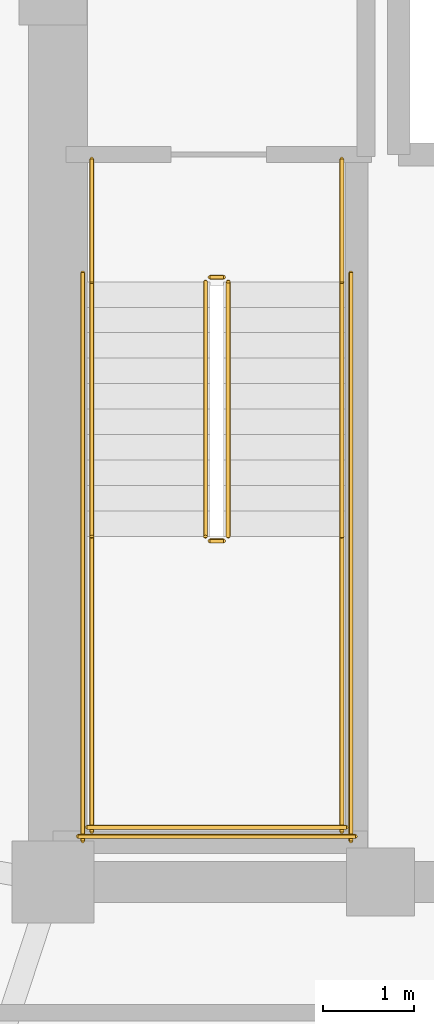
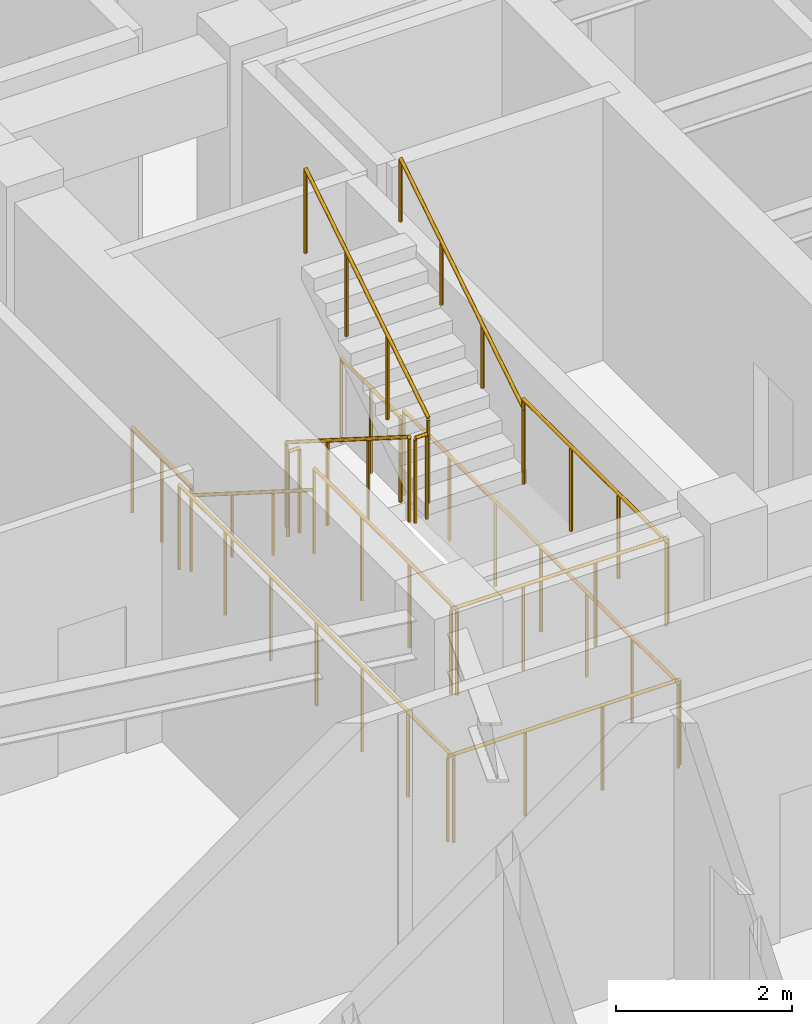
# One storey, part 10 of 11: 14 railings.
"""IFC4 building model written with IfcOpenShell, lengths in metres."""

from ifc_helpers import new_model, si_unit, direction, frame, origin, origin_2d, place, context, subcontext, project, spatial, circle, extrude, material, type_object, element, save


model = new_model("IFC4")

# Units and contexts
model_context = context("Model", 3, precision=1e-05, world=origin(), true_north=direction((0.0, 1.0)))
body_context = subcontext(model_context, "Body", "Model", "MODEL_VIEW")
ifc_project = project(units=[si_unit("LENGTHUNIT", "METRE"), si_unit("AREAUNIT", "SQUARE_METRE"), si_unit("VOLUMEUNIT", "CUBIC_METRE"), si_unit("PLANEANGLEUNIT", "RADIAN"), si_unit("MASSUNIT", "GRAM", prefix="KILO")], contexts=[model_context])

# Site, building, storey
site_placement = place(None, origin())
site = spatial("IfcSite", under=ifc_project, at=site_placement, CompositionType="ELEMENT")
building_placement = place(site_placement, origin())
building = spatial("IfcBuilding", under=site, at=building_placement, Name="Voryun Gate Residences", CompositionType="ELEMENT")
storey_placement = place(building_placement, frame((0.0, 0.0, 239.199951171875)))
storey = spatial("IfcBuildingStorey", under=building, at=storey_placement, Name="L59", CompositionType="ELEMENT", Elevation=239.199951171875)

# Railings
ifc_material_1 = material(Name="Painted steel", Category="steel")
railing_type_1 = type_object("IfcRailingType", Name="RAIL_STAIR_GUARD_1200", PredefinedType="GUARDRAIL", material=ifc_material_1)
railing_1_placement = place(storey_placement, frame((-17.52490234375, -0.800048828125, 0.17724609375)))
element("IfcRailing", 1, at=railing_1_placement, inside=storey, type_object=railing_type_1, Name="L59 ST-W1 stair guard 1", PredefinedType="GUARDRAIL", context=body_context, shape_type="SweptSolid", body=[
    extrude(circle(Radius=0.02392578125, at=origin_2d()), frame((0.0, 0.0, 1.17578125), z_axis=(0.0, -0.844908973607, 0.534910110503), x_axis=(1.0, 0.0, 0.0)), (0.0, 0.0, 1.0), 3.31396484375),
    extrude(circle(Radius=0.02099609375, at=origin_2d()), origin(), (0.0, 0.0, 1.0), 1.15185546875),
    extrude(circle(Radius=0.02099609375, at=origin_2d()), frame((0.0, -0.933349609375, 0.5908203125)), (0.0, 0.0, 1.0), 1.15185546875),
    extrude(circle(Radius=0.02099609375, at=origin_2d()), frame((0.0, -1.86669921875, 1.181884765625)), (0.0, 0.0, 1.0), 1.15185546875),
    extrude(circle(Radius=0.02099609375, at=origin_2d()), frame((0.0, -2.800048828125, 1.772705078125)), (0.0, 0.0, 1.0), 1.15185546875),
])
railing_2_placement = place(storey_placement, frame((-17.47509765625, -3.64990234375, 1.949951171875)))
element("IfcRailing", 2, at=railing_2_placement, inside=storey, type_object=railing_type_1, Name="L59 ST-W1 stair guard 2", PredefinedType="GUARDRAIL", context=body_context, shape_type="SweptSolid", body=[
    extrude(circle(Radius=0.02392578125, at=origin_2d()), frame((0.0, 0.0, 1.17578125), z_axis=(1.0, 0.0, 0.0), x_axis=(0.0, 1.0, 0.0)), (0.0, 0.0, 1.0), 0.150146484375),
    extrude(circle(Radius=0.02099609375, at=origin_2d()), origin(), (0.0, 0.0, 1.0), 1.15185546875),
    extrude(circle(Radius=0.02099609375, at=origin_2d()), frame((0.150146484375, 0.0, 0.0)), (0.0, 0.0, 1.0), 1.15185546875),
])
for number, where, name in (
    (3, (-18.77490234375, -3.60009765625, 1.949951171875), "L59 ST-W1 stair guard 3"),
    (4, (-16.02490234375, -3.60009765625, 1.949951171875), "L59 ST-W1 stair guard 4"),
):
    element("IfcRailing", number, at=place(storey_placement, frame(where)), inside=storey, type_object=railing_type_1, Name=name, PredefinedType="GUARDRAIL", context=body_context, shape_type="SweptSolid", body=[
        extrude(circle(Radius=0.02392578125, at=origin_2d()), frame((0.0, 0.0, 1.17578125), z_axis=(0.0, -1.0, 0.0), x_axis=(1.0, 0.0, 0.0)), (0.0, 0.0, 1.0), 3.25),
        extrude(circle(Radius=0.02099609375, at=origin_2d()), origin(), (0.0, 0.0, 1.0), 1.15185546875),
        extrude(circle(Radius=0.02099609375, at=origin_2d()), frame((0.0, -1.083251953125, 0.0)), (0.0, 0.0, 1.0), 1.15185546875),
        extrude(circle(Radius=0.02099609375, at=origin_2d()), frame((0.0, -2.166748046875, 0.0)), (0.0, 0.0, 1.0), 1.15185546875),
        extrude(circle(Radius=0.02099609375, at=origin_2d()), frame((0.0, -3.25, 0.0)), (0.0, 0.0, 1.0), 1.15185546875),
    ])
railing_3_placement = place(storey_placement, frame((-18.824951171875, -6.800048828125, 1.949951171875)))
element("IfcRailing", 5, at=railing_3_placement, inside=storey, type_object=railing_type_1, Name="L59 ST-W1 stair guard 5", PredefinedType="GUARDRAIL", context=body_context, shape_type="SweptSolid", body=[
    extrude(circle(Radius=0.02392578125, at=origin_2d()), frame((0.0, 0.0, 1.17578125), z_axis=(1.0, 0.0, 0.0), x_axis=(0.0, 1.0, 0.0)), (0.0, 0.0, 1.0), 2.849853515625),
    extrude(circle(Radius=0.02099609375, at=origin_2d()), origin(), (0.0, 0.0, 1.0), 1.15185546875),
    extrude(circle(Radius=0.02099609375, at=origin_2d()), frame((0.949951171875, 0.0, 0.0)), (0.0, 0.0, 1.0), 1.15185546875),
    extrude(circle(Radius=0.02099609375, at=origin_2d()), frame((1.89990234375, 0.0, 0.0)), (0.0, 0.0, 1.0), 1.15185546875),
    extrude(circle(Radius=0.02099609375, at=origin_2d()), frame((2.849853515625, 0.0, 0.0)), (0.0, 0.0, 1.0), 1.15185546875),
])
railing_4_placement = place(storey_placement, frame((-17.27490234375, -3.60009765625, 2.12744140625)))
element("IfcRailing", 6, at=railing_4_placement, inside=storey, type_object=railing_type_1, Name="L59 ST-W1 stair guard 6", PredefinedType="GUARDRAIL", context=body_context, shape_type="SweptSolid", body=[
    extrude(circle(Radius=0.02392578125, at=origin_2d()), frame((0.0, 0.0, 1.17578125), z_axis=(0.0, 0.844908973607, 0.534910110503), x_axis=(-1.0, 0.0, 0.0)), (0.0, 0.0, 1.0), 3.31396484375),
    extrude(circle(Radius=0.02099609375, at=origin_2d()), origin(), (0.0, 0.0, 1.0), 1.15185546875),
    extrude(circle(Radius=0.02099609375, at=origin_2d()), frame((0.0, 0.933349609375, 0.5908203125)), (0.0, 0.0, 1.0), 1.15185546875),
    extrude(circle(Radius=0.02099609375, at=origin_2d()), frame((0.0, 1.86669921875, 1.181884765625)), (0.0, 0.0, 1.0), 1.15185546875),
    extrude(circle(Radius=0.02099609375, at=origin_2d()), frame((0.0, 2.800048828125, 1.772705078125)), (0.0, 0.0, 1.0), 1.15185546875),
])
railing_5_placement = place(storey_placement, frame((-17.47509765625, -0.75, 0.0)))
element("IfcRailing", 7, at=railing_5_placement, inside=storey, type_object=railing_type_1, Name="L59 ST-W1 stair guard 7", PredefinedType="GUARDRAIL", context=body_context, shape_type="SweptSolid", body=[
    extrude(circle(Radius=0.02392578125, at=origin_2d()), frame((0.0, 0.0, 1.17578125), z_axis=(1.0, 0.0, 0.0), x_axis=(0.0, 1.0, 0.0)), (0.0, 0.0, 1.0), 0.150146484375),
    extrude(circle(Radius=0.02099609375, at=origin_2d()), origin(), (0.0, 0.0, 1.0), 1.15185546875),
    extrude(circle(Radius=0.02099609375, at=origin_2d()), frame((0.150146484375, 0.0, 0.0)), (0.0, 0.0, 1.0), 1.15185546875),
])
for number, where, name in (
    (8, (-18.77490234375, 0.550048828125, 0.0), "L59 ST-W1 stair guard 8"),
    (9, (-16.02490234375, 0.550048828125, 0.0), "L59 ST-W1 stair guard 9"),
):
    element("IfcRailing", number, at=place(storey_placement, frame(where)), inside=storey, type_object=railing_type_1, Name=name, PredefinedType="GUARDRAIL", context=body_context, shape_type="SweptSolid", body=[
        extrude(circle(Radius=0.02392578125, at=origin_2d()), frame((0.0, 0.0, 1.17578125), z_axis=(0.0, -1.0, 0.0), x_axis=(1.0, 0.0, 0.0)), (0.0, 0.0, 1.0), 1.35009765625),
        extrude(circle(Radius=0.02099609375, at=origin_2d()), origin(), (0.0, 0.0, 1.0), 1.15185546875),
        extrude(circle(Radius=0.02099609375, at=origin_2d()), frame((0.0, -0.675048828125, 0.0)), (0.0, 0.0, 1.0), 1.15185546875),
        extrude(circle(Radius=0.02099609375, at=origin_2d()), frame((0.0, -1.35009765625, 0.0)), (0.0, 0.0, 1.0), 1.15185546875),
    ])
for number, where, name in (
    (10, (-18.875, -0.699951171875, 0.0), "L59 ST-W1 stair guard 10"),
    (11, (-15.925048828125, -0.699951171875, 0.0), "L59 ST-W1 stair guard 11"),
):
    element("IfcRailing", number, at=place(storey_placement, frame(where)), inside=storey, type_object=railing_type_1, Name=name, PredefinedType="GUARDRAIL", context=body_context, shape_type="SweptSolid", body=[
        extrude(circle(Radius=0.02392578125, at=origin_2d()), frame((0.0, 0.0, 1.17578125), z_axis=(0.0, -1.0, 0.0), x_axis=(1.0, 0.0, 0.0)), (0.0, 0.0, 1.0), 6.25),
        extrude(circle(Radius=0.02099609375, at=origin_2d()), origin(), (0.0, 0.0, 1.0), 1.15185546875),
        extrude(circle(Radius=0.02099609375, at=origin_2d()), frame((0.0, -1.041748046875, 0.0)), (0.0, 0.0, 1.0), 1.15185546875),
        extrude(circle(Radius=0.02099609375, at=origin_2d()), frame((0.0, -2.083251953125, 0.0)), (0.0, 0.0, 1.0), 1.15185546875),
        extrude(circle(Radius=0.02099609375, at=origin_2d()), frame((0.0, -3.125, 0.0)), (0.0, 0.0, 1.0), 1.15185546875),
        extrude(circle(Radius=0.02099609375, at=origin_2d()), frame((0.0, -4.166748046875, 0.0)), (0.0, 0.0, 1.0), 1.15185546875),
        extrude(circle(Radius=0.02099609375, at=origin_2d()), frame((0.0, -5.208251953125, 0.0)), (0.0, 0.0, 1.0), 1.15185546875),
        extrude(circle(Radius=0.02099609375, at=origin_2d()), frame((0.0, -6.25, 0.0)), (0.0, 0.0, 1.0), 1.15185546875),
    ])
railing_6_placement = place(storey_placement, frame((-18.925048828125, -6.89990234375, 0.0)))
element("IfcRailing", 12, at=railing_6_placement, inside=storey, type_object=railing_type_1, Name="L59 ST-W1 stair guard 12", PredefinedType="GUARDRAIL", context=body_context, shape_type="SweptSolid", body=[
    extrude(circle(Radius=0.02392578125, at=origin_2d()), frame((0.0, 0.0, 1.17578125), z_axis=(1.0, 0.0, 0.0), x_axis=(0.0, 1.0, 0.0)), (0.0, 0.0, 1.0), 3.050048828125),
    extrude(circle(Radius=0.02099609375, at=origin_2d()), origin(), (0.0, 0.0, 1.0), 1.15185546875),
    extrude(circle(Radius=0.02099609375, at=origin_2d()), frame((1.0166015625, 0.0, 0.0)), (0.0, 0.0, 1.0), 1.15185546875),
    extrude(circle(Radius=0.02099609375, at=origin_2d()), frame((2.033447265625, 0.0, 0.0)), (0.0, 0.0, 1.0), 1.15185546875),
    extrude(circle(Radius=0.02099609375, at=origin_2d()), frame((3.050048828125, 0.0, 0.0)), (0.0, 0.0, 1.0), 1.15185546875),
])
ifc_material_2 = material(Name="Painted steel", Category="steel")
railing_type_2 = type_object("IfcRailingType", Name="RAIL_STAIR_HANDRAIL_900", PredefinedType="HANDRAIL", material=ifc_material_2)
railing_7_placement = place(storey_placement, frame((-18.77490234375, -0.800048828125, 0.17724609375)))
element("IfcRailing", 13, at=railing_7_placement, inside=storey, type_object=railing_type_2, Name="L59 ST-W1 stair handrail 1", PredefinedType="HANDRAIL", context=body_context, shape_type="SweptSolid", body=[
    extrude(circle(Radius=0.02392578125, at=origin_2d()), frame((0.0, 0.0, 0.8759765625), z_axis=(0.0, -0.844908973607, 0.534910110503), x_axis=(1.0, 0.0, 0.0)), (0.0, 0.0, 1.0), 3.31396484375),
    extrude(circle(Radius=0.02099609375, at=origin_2d()), origin(), (0.0, 0.0, 1.0), 0.851806640625),
    extrude(circle(Radius=0.02099609375, at=origin_2d()), frame((0.0, -0.933349609375, 0.5908203125)), (0.0, 0.0, 1.0), 0.851806640625),
    extrude(circle(Radius=0.02099609375, at=origin_2d()), frame((0.0, -1.86669921875, 1.181884765625)), (0.0, 0.0, 1.0), 0.851806640625),
    extrude(circle(Radius=0.02099609375, at=origin_2d()), frame((0.0, -2.800048828125, 1.772705078125)), (0.0, 0.0, 1.0), 0.851806640625),
])
railing_8_placement = place(storey_placement, frame((-16.02490234375, -3.60009765625, 2.12744140625)))
element("IfcRailing", 14, at=railing_8_placement, inside=storey, type_object=railing_type_2, Name="L59 ST-W1 stair handrail 2", PredefinedType="HANDRAIL", context=body_context, shape_type="SweptSolid", body=[
    extrude(circle(Radius=0.02392578125, at=origin_2d()), frame((0.0, 0.0, 0.8759765625), z_axis=(0.0, 0.844908973607, 0.534910110503), x_axis=(-1.0, 0.0, 0.0)), (0.0, 0.0, 1.0), 3.31396484375),
    extrude(circle(Radius=0.02099609375, at=origin_2d()), origin(), (0.0, 0.0, 1.0), 0.851806640625),
    extrude(circle(Radius=0.02099609375, at=origin_2d()), frame((0.0, 0.933349609375, 0.5908203125)), (0.0, 0.0, 1.0), 0.851806640625),
    extrude(circle(Radius=0.02099609375, at=origin_2d()), frame((0.0, 1.86669921875, 1.181884765625)), (0.0, 0.0, 1.0), 0.851806640625),
    extrude(circle(Radius=0.02099609375, at=origin_2d()), frame((0.0, 2.800048828125, 1.772705078125)), (0.0, 0.0, 1.0), 0.851806640625),
])

save(model, "model.ifc")
